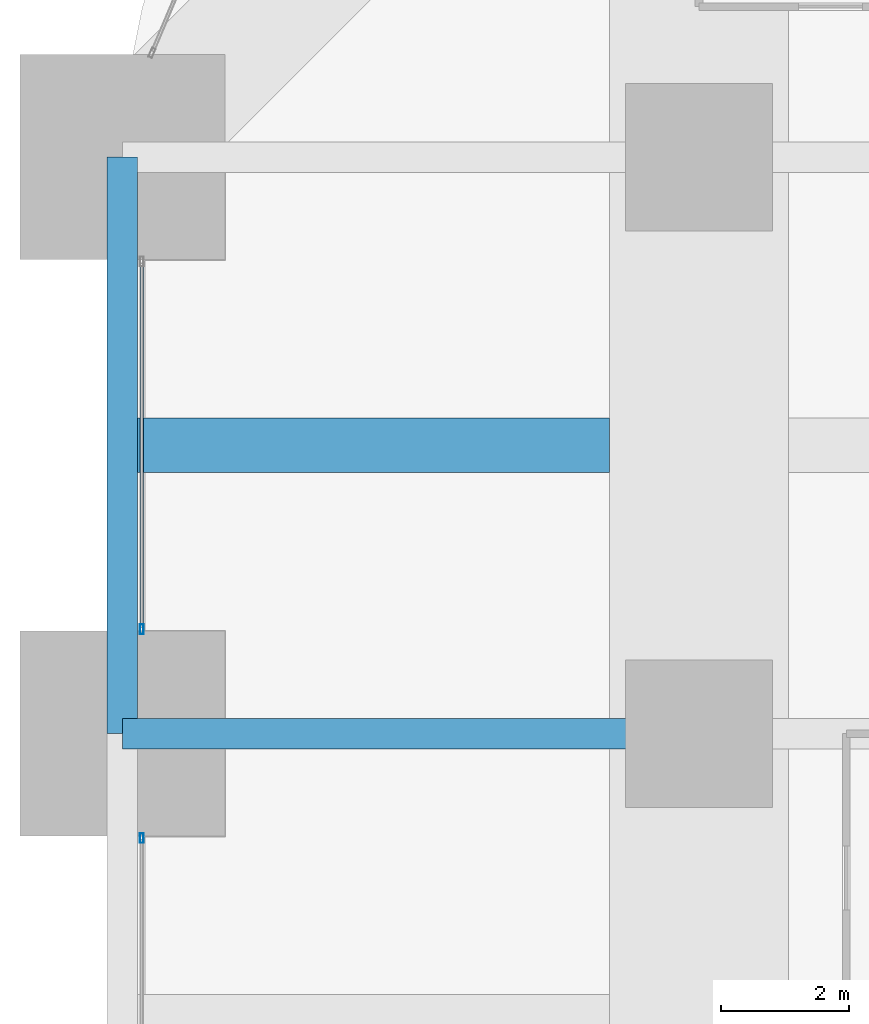
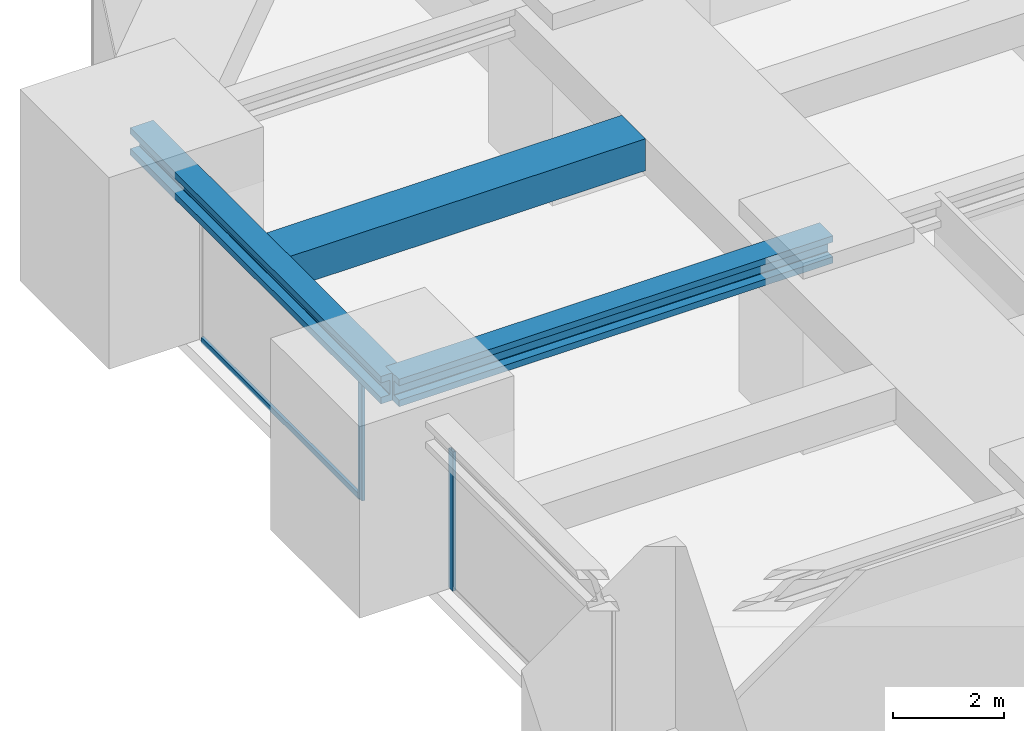
# One storey, part 12 of 39: 3 beams, 3 members, 2 elements without a shape of their own.
"""IFC4 building model written with IfcOpenShell, lengths in metres."""

from ifc_helpers import new_model, si_unit, direction, frame, origin, origin_2d, place, context, subcontext, project, spatial, rectangle, hollow_rectangle, i_section, extrude, material, material_profile, profile_set, type_object, element, aggregate, save


model = new_model("IFC4")

# Units and contexts
model_context = context("Model", 3, precision=1e-05, world=origin(), true_north=direction((0.0, 1.0)))
body_context = subcontext(model_context, "Body", "Model", "MODEL_VIEW")
ifc_project = project(units=[si_unit("LENGTHUNIT", "METRE"), si_unit("AREAUNIT", "SQUARE_METRE"), si_unit("VOLUMEUNIT", "CUBIC_METRE"), si_unit("PLANEANGLEUNIT", "RADIAN"), si_unit("MASSUNIT", "GRAM", prefix="KILO")], contexts=[model_context])

# Site, building, storey
site_placement = place(None, origin())
site = spatial("IfcSite", under=ifc_project, at=site_placement, CompositionType="ELEMENT")
building_placement = place(site_placement, origin())
building = spatial("IfcBuilding", under=site, at=building_placement, Name="Zorevar Civic Tower", CompositionType="ELEMENT")
storey_placement = place(building_placement, frame((0.0, 0.0, 230.199951171875)))
storey = spatial("IfcBuildingStorey", under=building, at=storey_placement, Name="L56", CompositionType="ELEMENT", Elevation=230.199951171875)

# Beams
ifc_material_1 = material(Name="Concrete C50/60", Category="concrete")
ifc_material_profile_1 = material_profile(ifc_material_1, rectangle(XDim=0.85009765625, YDim=0.699951171875, at=origin_2d()), Name="RC 850x700")
ifc_profile_set_1 = profile_set([ifc_material_profile_1], Name="Concrete C50/60")
beam_type_1 = type_object("IfcBeamType", Name="Beam RC 850x700", PredefinedType="BEAM", material=ifc_profile_set_1)
beam_1_placement = place(storey_placement, frame((0.238037109375, 31.5, 3.5), z_axis=(1.0, 0.0, 0.0), x_axis=(0.0, 1.0, 0.0)))
element("IfcBeam", 1, at=beam_1_placement, inside=storey, type_object=beam_type_1, Name="Secondary beam L57", PredefinedType="BEAM", context=body_context, shape_type="SweptSolid", body=[
    extrude(rectangle(XDim=0.85009765625, YDim=0.699951171875, at=origin_2d()), origin(), (0.0, 0.0, 1.0), 7.362060546875),
])
ifc_material_2 = material(Name="Steel S460M (HISTAR 460)", Category="steel")
ifc_material_profile_2 = material_profile(ifc_material_2, i_section(OverallWidth=0.47607421875, OverallDepth=0.60009765625, WebThickness=0.10009765625, FlangeThickness=0.139892578125, FilletRadius=0.014892578125, at=origin_2d()), Name="HD 400x1299")
ifc_profile_set_2 = profile_set([ifc_material_profile_2], Name="Steel S460M (HISTAR 460)")
beam_type_2 = type_object("IfcBeamType", Name="Belt chord HD 400x1299", PredefinedType="BEAM", material=ifc_profile_set_2)
beam_2_placement = place(storey_placement, frame((0.0, 27.0, 3.550048828125), z_axis=(0.0, 1.0, 0.0), x_axis=(-1.0, 0.0, 0.0)))
element("IfcBeam", 2, at=beam_2_placement, inside=storey, type_object=beam_type_2, Name="Belt chord L57", PredefinedType="BEAM", context=body_context, shape_type="SweptSolid", body=[
    extrude(i_section(OverallWidth=0.47607421875, OverallDepth=0.60009765625, WebThickness=0.10009765625, FlangeThickness=0.139892578125, FilletRadius=0.014892578125, at=origin_2d()), origin(), (0.0, 0.0, 1.0), 9.0),
])

# Curtain wall, member
ifc_material_3 = material(Name="Dark grey solar-control glass in black aluminium frame", Category="aluminium")
curtain_wall_type = type_object("IfcCurtainWallType", Name="Curtain wall CW4 high zone", PredefinedType="NOTDEFINED", material=ifc_material_3)
curtain_wall_1_placement = place(storey_placement, origin())
curtain_wall_1 = element("IfcCurtainWall", 3, at=curtain_wall_1_placement, inside=storey, type_object=curtain_wall_type, Name="CW4 L56", PredefinedType="NOTDEFINED")
ifc_material_4 = material(Name="Aluminium, black anodised", Category="aluminium")
ifc_material_profile_3 = material_profile(ifc_material_4, hollow_rectangle(XDim=0.06005859375, YDim=0.14990234375, WallThickness=0.00390625, at=origin_2d()), Name="AL 150x60x4")
ifc_profile_set_3 = profile_set([ifc_material_profile_3], Name="Aluminium, black anodised")
member_type_1 = type_object("IfcMemberType", Name="CW4 mullion AL 150x60x4", PredefinedType="MULLION", material=ifc_profile_set_3)
member_1_placement = place(storey_placement, frame((0.300048828125, 25.3701171875, 0.0), z_axis=(0.0, 0.0, 1.0), x_axis=(-1.0, 0.0, 0.0)))
member_1 = element("IfcMember", 4, at=member_1_placement, type_object=member_type_1, Name="CW4 mullion 2", PredefinedType="MULLION", context=body_context, shape_type="SweptSolid", body=[
    extrude(hollow_rectangle(XDim=0.06005859375, YDim=0.14990234375, WallThickness=0.00390625, at=origin_2d()), origin(), (0.0, 0.0, 1.0), 3.050048828125),
])
aggregate(curtain_wall_1, [member_1])

# Curtain wall, members
curtain_wall_2_placement = place(storey_placement, origin())
curtain_wall_2 = element("IfcCurtainWall", 5, at=curtain_wall_2_placement, inside=storey, type_object=curtain_wall_type, Name="CW4 L56", PredefinedType="NOTDEFINED")
member_2_placement = place(storey_placement, frame((0.300048828125, 28.6298828125, 0.0), z_axis=(0.0, 0.0, 1.0), x_axis=(-1.0, 0.0, 0.0)))
member_2 = element("IfcMember", 6, at=member_2_placement, type_object=member_type_1, Name="CW4 mullion 1", PredefinedType="MULLION", context=body_context, shape_type="SweptSolid", body=[
    extrude(hollow_rectangle(XDim=0.06005859375, YDim=0.14990234375, WallThickness=0.00390625, at=origin_2d()), origin(), (0.0, 0.0, 1.0), 3.050048828125),
])
ifc_material_5 = material(Name="Aluminium, black anodised", Category="aluminium")
ifc_material_profile_4 = material_profile(ifc_material_5, hollow_rectangle(XDim=0.06005859375, YDim=0.1201171875, WallThickness=0.0029296875, at=origin_2d()), Name="AL 120x60x3")
ifc_profile_set_4 = profile_set([ifc_material_profile_4], Name="Aluminium, black anodised")
member_type_2 = type_object("IfcMemberType", Name="CW4 transom AL 120x60x3", PredefinedType="USERDEFINED", material=ifc_profile_set_4)
member_3_placement = place(storey_placement, frame((0.300048828125, 28.659912109375, 0.030029296875), z_axis=(0.0, 1.0, 0.0), x_axis=(-1.0, 0.0, 0.0)))
member_3 = element("IfcMember", 7, at=member_3_placement, type_object=member_type_2, Name="CW4 sill transom", ObjectType="TRANSOM", PredefinedType="USERDEFINED", context=body_context, shape_type="SweptSolid", body=[
    extrude(hollow_rectangle(XDim=0.06005859375, YDim=0.1201171875, WallThickness=0.0029296875, at=origin_2d()), origin(), (0.0, 0.0, 1.0), 5.68017578125),
])
aggregate(curtain_wall_2, [member_2, member_3])

# Beam
ifc_material_6 = material(Name="Steel S460M (HISTAR 460)", Category="steel")
ifc_material_profile_5 = material_profile(ifc_material_6, i_section(OverallWidth=0.47607421875, OverallDepth=0.60009765625, WebThickness=0.10009765625, FlangeThickness=0.139892578125, FilletRadius=0.014892578125, at=origin_2d()), Name="HD 400x1299")
ifc_profile_set_5 = profile_set([ifc_material_profile_5], Name="Steel S460M (HISTAR 460)")
beam_type_3 = type_object("IfcBeamType", Name="Outrigger chord HD 400x1299", PredefinedType="BEAM", material=ifc_profile_set_5)
beam_3_placement = place(storey_placement, frame((0.0, 27.0, 3.550048828125), z_axis=(1.0, 0.0, 0.0), x_axis=(0.0, 1.0, 0.0)))
element("IfcBeam", 8, at=beam_3_placement, inside=storey, type_object=beam_type_3, Name="Outrigger chord L57", PredefinedType="BEAM", context=body_context, shape_type="SweptSolid", body=[
    extrude(i_section(OverallWidth=0.47607421875, OverallDepth=0.60009765625, WebThickness=0.10009765625, FlangeThickness=0.139892578125, FilletRadius=0.014892578125, at=origin_2d()), origin(), (0.0, 0.0, 1.0), 9.0),
])

save(model, "model.ifc")
